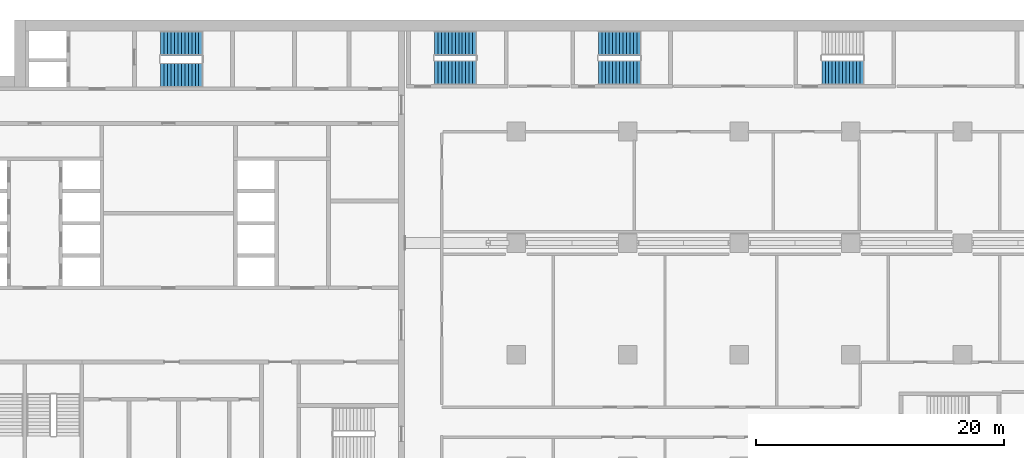
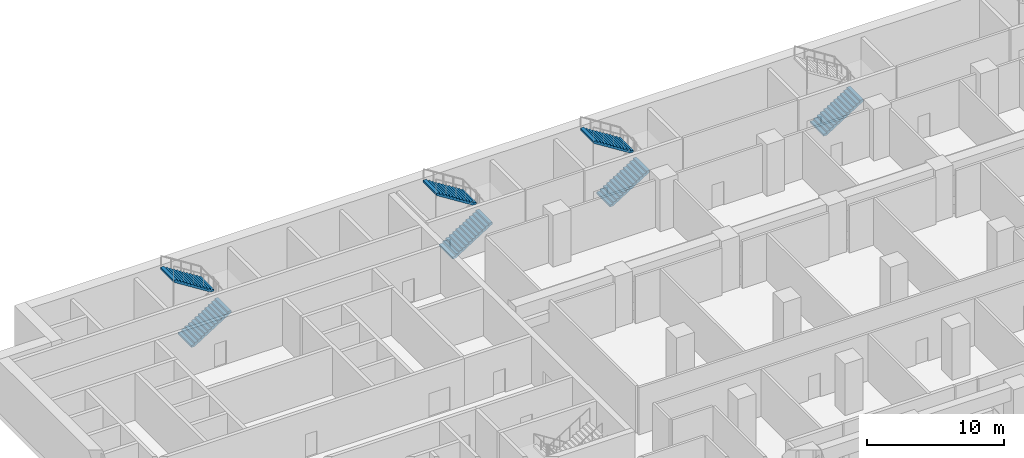
# One storey, part 22 of 31: 7 stair flights, 4 elements without a shape of their own.
"""IFC4 building model written with IfcOpenShell, lengths in metres."""

import ifcopenshell
import ifcopenshell.guid

model = None  # the IFC model being written
_history = None  # IfcOwnerHistory: only IFC2X3 demands one
_inside = {}  # id of a spatial element -> (the spatial element, [elements in it])
_under = {}  # id of a project, library or spatial element -> (it, [spatial elements below it])
_declared = {}  # id of a project -> (the project, [libraries it declares])
_typed = {}  # id of a type object -> (the type object, [elements of that type])
_made_of = {}  # id of a material, layer set ... -> (it, [elements and type objects made of it])


def new_model(schema):
    """Start an empty IFC model of exactly this schema.

    Asked for "IFC4X3", IfcOpenShell would pick the latest addendum, in which some entities
    have other attributes; the version numbers below select the first issue.
    IFC2X3 requires an IfcOwnerHistory on every rooted entity: one is made here for all.
    """
    global model, _history
    if schema == "IFC4X3":
        model = ifcopenshell.file(schema_version=(4, 3, 0, 0))
    else:
        model = ifcopenshell.file(schema=schema)
    _inside.clear()
    _under.clear()
    _declared.clear()
    _typed.clear()
    _made_of.clear()
    _history = None
    if model.schema == "IFC2X3":
        org = make("IfcOrganization", Name="unknown")
        user = make(
            "IfcPersonAndOrganization",
            ThePerson=make("IfcPerson", FamilyName="unknown"),
            TheOrganization=org,
        )
        app = make(
            "IfcApplication",
            ApplicationDeveloper=org,
            Version="unknown",
            ApplicationFullName="unknown",
            ApplicationIdentifier="unknown",
        )
        _history = make(
            "IfcOwnerHistory",
            OwningUser=user,
            OwningApplication=app,
            ChangeAction="ADDED",
            CreationDate=0,
        )
    return model


def make(cls, **values):
    """One entity of the class cls with the attributes given. An attribute that is None is left unset."""
    return model.create_entity(
        cls, **{name: value for name, value in values.items() if value is not None}
    )


def rooted(cls, **values):
    """An entity with a GlobalId (a new one), such as an element, a storey or a relation."""
    return make(cls, GlobalId=ifcopenshell.guid.new(), OwnerHistory=_history, **values)


def si_unit(unit_type, name, prefix=None):
    """IfcSIUnit, for example si_unit("LENGTHUNIT", "METRE", prefix="MILLI")."""
    return make("IfcSIUnit", UnitType=unit_type, Prefix=prefix, Name=name)


def assignment(units):
    """IfcUnitAssignment: the units of a project."""
    return None if units is None else make("IfcUnitAssignment", Units=units)


def point(xyz):
    """IfcCartesianPoint."""
    return None if xyz is None else make("IfcCartesianPoint", Coordinates=xyz)


def direction(xyz):
    """IfcDirection."""
    return None if xyz is None else make("IfcDirection", DirectionRatios=xyz)


def frame(location, z_axis=None, x_axis=None):
    """IfcAxis2Placement3D, a coordinate frame: its origin and axes. An axis left out is left unset."""
    return make(
        "IfcAxis2Placement3D",
        Location=point(location),
        Axis=direction(z_axis),
        RefDirection=direction(x_axis),
    )


def origin():
    """The frame at (0, 0, 0) with its axes left unset."""
    return frame((0.0, 0.0, 0.0))


def place(relative_to, where):
    """IfcLocalPlacement: puts the frame where relative to a parent placement (None: the world)."""
    return make(
        "IfcLocalPlacement", PlacementRelTo=relative_to, RelativePlacement=where
    )


def context(
    kind, dimensions, precision=None, world=None, true_north=None, identifier=None
):
    """IfcGeometricRepresentationContext, for example the 3D "Model" context."""
    return make(
        "IfcGeometricRepresentationContext",
        ContextIdentifier=identifier,
        ContextType=kind,
        CoordinateSpaceDimension=dimensions,
        Precision=precision,
        WorldCoordinateSystem=world,
        TrueNorth=true_north,
    )


def subcontext(parent, identifier, kind, view, scale=None):
    """IfcGeometricRepresentationSubContext, for example "Body" below "Model"."""
    return make(
        "IfcGeometricRepresentationSubContext",
        ContextIdentifier=identifier,
        ContextType=kind,
        ParentContext=parent,
        TargetScale=scale,
        TargetView=view,
    )


def project(units=None, contexts=None):
    """IfcProject with its units and contexts."""
    return rooted(
        "IfcProject",
        Name="project",
        RepresentationContexts=contexts,
        UnitsInContext=assignment(units),
    )


def spatial(cls, under=None, at=None, **own):
    """A site, building, storey or space (cls), placed at a placement, below another one or the project."""
    s = rooted(cls, ObjectPlacement=at, **own)
    if under is not None:
        _under.setdefault(under.id(), (under, []))[1].append(s)
    return s


def polyline(points):
    """IfcPolyline through the points."""
    return make("IfcPolyline", Points=[point(p) for p in points])


def outline(outer, holes=None, kind="AREA"):
    """IfcArbitraryClosedProfileDef: a profile drawn as a closed curve; with holes, ...WithVoids."""
    if holes is None:
        return make("IfcArbitraryClosedProfileDef", ProfileType=kind, OuterCurve=outer)
    return make(
        "IfcArbitraryProfileDefWithVoids",
        ProfileType=kind,
        OuterCurve=outer,
        InnerCurves=holes,
    )


def extrude(swept, where, along, depth):
    """IfcExtrudedAreaSolid: the profile swept, set in the frame where, extruded along a direction by depth."""
    return make(
        "IfcExtrudedAreaSolid",
        SweptArea=swept,
        Position=where,
        ExtrudedDirection=direction(along),
        Depth=depth,
    )


def shape(context_of_items, identifier, shape_type, items):
    """IfcShapeRepresentation: the items that make up one representation, for example the "Body"."""
    return make(
        "IfcShapeRepresentation",
        ContextOfItems=context_of_items,
        RepresentationIdentifier=identifier,
        RepresentationType=shape_type,
        Items=items,
    )


def material(Name=None, Category=None):
    """IfcMaterial."""
    return make("IfcMaterial", Name=Name, Category=Category)


def made_of(thing, what):
    """Note that an element or type object is made of a material, layer set ...; save() writes the relation."""
    if what is not None:
        _made_of.setdefault(what.id(), (what, []))[1].append(thing)
    return thing


def type_object(cls, material=None, **own):
    """A type object (cls), such as IfcWallType, which elements share."""
    return made_of(rooted(cls, **own), material)


def element(
    cls,
    number,
    at=None,
    inside=None,
    cuts=None,
    type_object=None,
    material=None,
    context=None,
    identifier="Body",
    shape_type=None,
    held_by="IfcProductDefinitionShape",
    body=None,
    shapes=None,
    **own,
):
    """One element of the class cls, such as IfcWall. Its Tag is "e" and its number.

    at: its placement. inside: the storey or other place that contains it. cuts: it is an
    opening in that element (IfcRelVoidsElement). A single representation is given by context,
    identifier, shape_type and body (its items); several are given by shapes. held_by: the class
    of the entity that holds the representations. save() writes the other relations.
    """
    e = rooted(cls, Tag="e%d" % number, ObjectPlacement=at, **own)
    if body is not None:
        shapes = [shape(context, identifier, shape_type, body)]
    if shapes is not None:
        e.Representation = make(held_by, Representations=shapes)
    if inside is not None:
        _inside.setdefault(inside.id(), (inside, []))[1].append(e)
    if cuts is not None:
        rooted(
            "IfcRelVoidsElement", RelatingBuildingElement=cuts, RelatedOpeningElement=e
        )
    if type_object is not None:
        _typed.setdefault(type_object.id(), (type_object, []))[1].append(e)
    return made_of(e, material)


def aggregate(whole, parts):
    """IfcRelAggregates: a whole, such as a stair, and the parts it consists of."""
    return rooted("IfcRelAggregates", RelatingObject=whole, RelatedObjects=parts)


def save(model, path):
    """Write the relations noted so far, then the file.

    IfcRelAggregates (storeys below a building ...), IfcRelContainedInSpatialStructure (elements
    in a storey), IfcRelDefinesByType, IfcRelAssociatesMaterial and IfcRelDeclares: one each for
    every whole, place, type object, material and project.
    """
    for whole, parts in _under.values():
        aggregate(whole, parts)
    for where, things in _inside.values():
        rooted(
            "IfcRelContainedInSpatialStructure",
            RelatedElements=things,
            RelatingStructure=where,
        )
    for kind, things in _typed.values():
        rooted("IfcRelDefinesByType", RelatedObjects=things, RelatingType=kind)
    for what, things in _made_of.values():
        rooted("IfcRelAssociatesMaterial", RelatedObjects=things, RelatingMaterial=what)
    for by, libraries in _declared.values():
        rooted("IfcRelDeclares", RelatingContext=by, RelatedDefinitions=libraries)
    model.write(path)


model = new_model("IFC4")

# Units and contexts
model_context = context("Model", 3, precision=1e-05, world=origin(), true_north=direction((0.0, 1.0)))
body_context = subcontext(model_context, "Body", "Model", "MODEL_VIEW")
ifc_project = project(units=[si_unit("LENGTHUNIT", "METRE"), si_unit("AREAUNIT", "SQUARE_METRE"), si_unit("VOLUMEUNIT", "CUBIC_METRE"), si_unit("PLANEANGLEUNIT", "RADIAN"), si_unit("MASSUNIT", "GRAM", prefix="KILO")], contexts=[model_context])

# Site, building, storey
site_placement = place(None, origin())
site = spatial("IfcSite", under=ifc_project, at=site_placement, CompositionType="ELEMENT")
building_placement = place(site_placement, origin())
building = spatial("IfcBuilding", under=site, at=building_placement, Name="Hunhe Ridgeline Campus", CompositionType="ELEMENT")
storey_placement = place(building_placement, frame((0.0, 0.0, 31.199951171875)))
storey = spatial("IfcBuildingStorey", under=building, at=storey_placement, Name="L06", CompositionType="ELEMENT", Elevation=31.199951171875)

# Stair, stair flights
ifc_material = material(Name="Concrete C40", Category="concrete")
stair_type = type_object("IfcStairType", Name="Reinforced concrete dog-leg stair 1950 Concrete C40", PredefinedType="HALF_TURN_STAIR", material=ifc_material)
stair_1_placement = place(storey_placement, origin())
stair_1 = element("IfcStair", 1, at=stair_1_placement, inside=storey, type_object=stair_type, Name="L06 S1", PredefinedType="HALF_TURN_STAIR")
stair_flight_type = type_object("IfcStairFlightType", Name="Reinforced concrete stair flight 1950 Concrete C40", PredefinedType="STRAIGHT", material=ifc_material)
stair_flight_1_placement = place(storey_placement, frame((16.300048828125, 94.574951171875, 0.0), z_axis=(0.0, 0.0, 1.0), x_axis=(1.0, 0.0, 0.0)))
stair_flight_1 = element("IfcStairFlight", 2, at=stair_flight_1_placement, type_object=stair_flight_type, Name="ST1 flight 1", NumberOfRisers=13, NumberOfTreads=12, PredefinedType="STRAIGHT", RiserHeight=0.176923077, TreadLength=0.28, context=body_context, shape_type="SweptSolid", body=[
    extrude(outline(polyline([(0.0, 0.0), (0.0, 0.177001953125), (0.280029296875, 0.177001953125), (0.280029296875, 0.353759765625), (0.56005859375, 0.353759765625), (0.56005859375, 0.53076171875), (0.840087890625, 0.53076171875), (0.840087890625, 0.707763671875), (1.1201171875, 0.707763671875), (1.1201171875, 0.884521484375), (1.39990234375, 0.884521484375), (1.39990234375, 1.0615234375), (1.679931640625, 1.0615234375), (1.679931640625, 1.238525390625), (1.9599609375, 1.238525390625), (1.9599609375, 1.415283203125), (2.239990234375, 1.415283203125), (2.239990234375, 1.59228515625), (2.52001953125, 1.59228515625), (2.52001953125, 1.769287109375), (2.800048828125, 1.769287109375), (2.800048828125, 1.946044921875), (3.080078125, 1.946044921875), (3.080078125, 2.123046875), (3.360107421875, 2.123046875), (3.360107421875, 2.300048828125), (3.360107421875, 1.94580078125), (0.280517578125, 0.0), (0.0, 0.0)])), frame((0.0, 0.97509765625, 0.0), z_axis=(0.0, -1.0, 0.0), x_axis=(1.0, 0.0, 0.0)), (0.0, 0.0, 1.0), 1.949951171875),
    extrude(outline(polyline([(0.030029296875, 0.030029296875), (0.030029296875, 0.14697265625), (0.31005859375, 0.14697265625), (0.31005859375, 0.32373046875), (0.590087890625, 0.32373046875), (0.590087890625, 0.500732421875), (0.8701171875, 0.500732421875), (0.8701171875, 0.677734375), (1.14990234375, 0.677734375), (1.14990234375, 0.8544921875), (1.429931640625, 0.8544921875), (1.429931640625, 1.031494140625), (1.7099609375, 1.031494140625), (1.7099609375, 1.20849609375), (1.989990234375, 1.20849609375), (1.989990234375, 1.385498046875), (2.27001953125, 1.385498046875), (2.27001953125, 1.562255859375), (2.550048828125, 1.562255859375), (2.550048828125, 1.7392578125), (2.830078125, 1.7392578125), (2.830078125, 1.916259765625), (3.110107421875, 1.916259765625), (3.110107421875, 2.093017578125), (3.330078125, 2.093017578125), (3.330078125, 1.96240234375), (0.27197265625, 0.030029296875), (0.030029296875, 0.030029296875)])), frame((0.0, -0.070068359375, 0.0), z_axis=(0.0, -1.0, 0.0), x_axis=(1.0, 0.0, 0.0)), (0.0, 0.0, 1.0), 0.019775390625),
    extrude(outline(polyline([(0.030029296875, 0.030029296875), (0.030029296875, 0.14697265625), (0.31005859375, 0.14697265625), (0.31005859375, 0.32373046875), (0.590087890625, 0.32373046875), (0.590087890625, 0.500732421875), (0.8701171875, 0.500732421875), (0.8701171875, 0.677734375), (1.14990234375, 0.677734375), (1.14990234375, 0.8544921875), (1.429931640625, 0.8544921875), (1.429931640625, 1.031494140625), (1.7099609375, 1.031494140625), (1.7099609375, 1.20849609375), (1.989990234375, 1.20849609375), (1.989990234375, 1.385498046875), (2.27001953125, 1.385498046875), (2.27001953125, 1.562255859375), (2.550048828125, 1.562255859375), (2.550048828125, 1.7392578125), (2.830078125, 1.7392578125), (2.830078125, 1.916259765625), (3.110107421875, 1.916259765625), (3.110107421875, 2.093017578125), (3.330078125, 2.093017578125), (3.330078125, 1.96240234375), (0.27197265625, 0.030029296875), (0.030029296875, 0.030029296875)])), frame((0.0, 0.010009765625, 0.0), z_axis=(0.0, -1.0, 0.0), x_axis=(1.0, 0.0, 0.0)), (0.0, 0.0, 1.0), 0.019775390625),
    extrude(outline(polyline([(0.030029296875, 0.030029296875), (0.030029296875, 0.14697265625), (0.31005859375, 0.14697265625), (0.31005859375, 0.32373046875), (0.590087890625, 0.32373046875), (0.590087890625, 0.500732421875), (0.8701171875, 0.500732421875), (0.8701171875, 0.677734375), (1.14990234375, 0.677734375), (1.14990234375, 0.8544921875), (1.429931640625, 0.8544921875), (1.429931640625, 1.031494140625), (1.7099609375, 1.031494140625), (1.7099609375, 1.20849609375), (1.989990234375, 1.20849609375), (1.989990234375, 1.385498046875), (2.27001953125, 1.385498046875), (2.27001953125, 1.562255859375), (2.550048828125, 1.562255859375), (2.550048828125, 1.7392578125), (2.830078125, 1.7392578125), (2.830078125, 1.916259765625), (3.110107421875, 1.916259765625), (3.110107421875, 2.093017578125), (3.330078125, 2.093017578125), (3.330078125, 1.96240234375), (0.27197265625, 0.030029296875), (0.030029296875, 0.030029296875)])), frame((0.0, 0.090087890625, 0.0), z_axis=(0.0, -1.0, 0.0), x_axis=(1.0, 0.0, 0.0)), (0.0, 0.0, 1.0), 0.019775390625),
])
stair_flight_2_placement = place(storey_placement, frame((19.659912109375, 97.125, 2.300048828125), z_axis=(0.0, 0.0, 1.0), x_axis=(-1.0, 0.0, 0.0)))
stair_flight_2 = element("IfcStairFlight", 3, at=stair_flight_2_placement, type_object=stair_flight_type, Name="ST1 flight 2", NumberOfRisers=13, NumberOfTreads=12, PredefinedType="STRAIGHT", RiserHeight=0.176923077, TreadLength=0.28, context=body_context, shape_type="SweptSolid", body=[
    extrude(outline(polyline([(0.0, 0.0), (0.0, 0.177001953125), (0.280029296875, 0.177001953125), (0.280029296875, 0.353759765625), (0.56005859375, 0.353759765625), (0.56005859375, 0.53076171875), (0.840087890625, 0.53076171875), (0.840087890625, 0.707763671875), (1.1201171875, 0.707763671875), (1.1201171875, 0.884521484375), (1.39990234375, 0.884521484375), (1.39990234375, 1.0615234375), (1.679931640625, 1.0615234375), (1.679931640625, 1.238525390625), (1.9599609375, 1.238525390625), (1.9599609375, 1.415283203125), (2.239990234375, 1.415283203125), (2.239990234375, 1.59228515625), (2.52001953125, 1.59228515625), (2.52001953125, 1.769287109375), (2.800048828125, 1.769287109375), (2.800048828125, 1.946044921875), (3.080078125, 1.946044921875), (3.080078125, 2.123046875), (3.360107421875, 2.123046875), (3.360107421875, 2.300048828125), (3.360107421875, 1.94580078125), (0.280517578125, 0.0), (0.0, 0.0)])), frame((0.0, 0.97509765625, 0.0), z_axis=(0.0, -1.0, 0.0), x_axis=(1.0, 0.0, 0.0)), (0.0, 0.0, 1.0), 1.949951171875),
    extrude(outline(polyline([(0.030029296875, 0.030029296875), (0.030029296875, 0.14697265625), (0.31005859375, 0.14697265625), (0.31005859375, 0.32373046875), (0.590087890625, 0.32373046875), (0.590087890625, 0.500732421875), (0.8701171875, 0.500732421875), (0.8701171875, 0.677734375), (1.14990234375, 0.677734375), (1.14990234375, 0.8544921875), (1.429931640625, 0.8544921875), (1.429931640625, 1.031494140625), (1.7099609375, 1.031494140625), (1.7099609375, 1.20849609375), (1.989990234375, 1.20849609375), (1.989990234375, 1.385498046875), (2.27001953125, 1.385498046875), (2.27001953125, 1.562255859375), (2.550048828125, 1.562255859375), (2.550048828125, 1.7392578125), (2.830078125, 1.7392578125), (2.830078125, 1.916259765625), (3.110107421875, 1.916259765625), (3.110107421875, 2.093017578125), (3.330078125, 2.093017578125), (3.330078125, 1.96240234375), (0.27197265625, 0.030029296875), (0.030029296875, 0.030029296875)])), frame((0.0, -0.070068359375, 0.0), z_axis=(0.0, -1.0, 0.0), x_axis=(1.0, 0.0, 0.0)), (0.0, 0.0, 1.0), 0.019775390625),
    extrude(outline(polyline([(0.030029296875, 0.030029296875), (0.030029296875, 0.14697265625), (0.31005859375, 0.14697265625), (0.31005859375, 0.32373046875), (0.590087890625, 0.32373046875), (0.590087890625, 0.500732421875), (0.8701171875, 0.500732421875), (0.8701171875, 0.677734375), (1.14990234375, 0.677734375), (1.14990234375, 0.8544921875), (1.429931640625, 0.8544921875), (1.429931640625, 1.031494140625), (1.7099609375, 1.031494140625), (1.7099609375, 1.20849609375), (1.989990234375, 1.20849609375), (1.989990234375, 1.385498046875), (2.27001953125, 1.385498046875), (2.27001953125, 1.562255859375), (2.550048828125, 1.562255859375), (2.550048828125, 1.7392578125), (2.830078125, 1.7392578125), (2.830078125, 1.916259765625), (3.110107421875, 1.916259765625), (3.110107421875, 2.093017578125), (3.330078125, 2.093017578125), (3.330078125, 1.96240234375), (0.27197265625, 0.030029296875), (0.030029296875, 0.030029296875)])), frame((0.0, 0.010009765625, 0.0), z_axis=(0.0, -1.0, 0.0), x_axis=(1.0, 0.0, 0.0)), (0.0, 0.0, 1.0), 0.019775390625),
    extrude(outline(polyline([(0.030029296875, 0.030029296875), (0.030029296875, 0.14697265625), (0.31005859375, 0.14697265625), (0.31005859375, 0.32373046875), (0.590087890625, 0.32373046875), (0.590087890625, 0.500732421875), (0.8701171875, 0.500732421875), (0.8701171875, 0.677734375), (1.14990234375, 0.677734375), (1.14990234375, 0.8544921875), (1.429931640625, 0.8544921875), (1.429931640625, 1.031494140625), (1.7099609375, 1.031494140625), (1.7099609375, 1.20849609375), (1.989990234375, 1.20849609375), (1.989990234375, 1.385498046875), (2.27001953125, 1.385498046875), (2.27001953125, 1.562255859375), (2.550048828125, 1.562255859375), (2.550048828125, 1.7392578125), (2.830078125, 1.7392578125), (2.830078125, 1.916259765625), (3.110107421875, 1.916259765625), (3.110107421875, 2.093017578125), (3.330078125, 2.093017578125), (3.330078125, 1.96240234375), (0.27197265625, 0.030029296875), (0.030029296875, 0.030029296875)])), frame((0.0, 0.090087890625, 0.0), z_axis=(0.0, -1.0, 0.0), x_axis=(1.0, 0.0, 0.0)), (0.0, 0.0, 1.0), 0.019775390625),
])
aggregate(stair_1, [stair_flight_1, stair_flight_2])

stair_2_placement = place(storey_placement, origin())
stair_2 = element("IfcStair", 4, at=stair_2_placement, inside=storey, type_object=stair_type, Name="L06 E1", PredefinedType="HALF_TURN_STAIR")
stair_flight_3_placement = place(storey_placement, frame((38.39990234375, 94.77490234375, 0.0), z_axis=(0.0, 0.0, 1.0), x_axis=(1.0, 0.0, 0.0)))
stair_flight_3 = element("IfcStairFlight", 5, at=stair_flight_3_placement, type_object=stair_flight_type, Name="ST5 flight 1", NumberOfRisers=13, NumberOfTreads=12, PredefinedType="STRAIGHT", RiserHeight=0.176923077, TreadLength=0.28, context=body_context, shape_type="SweptSolid", body=[
    extrude(outline(polyline([(0.0, 0.0), (0.0, 0.177001953125), (0.280029296875, 0.177001953125), (0.280029296875, 0.353759765625), (0.56005859375, 0.353759765625), (0.56005859375, 0.53076171875), (0.840087890625, 0.53076171875), (0.840087890625, 0.707763671875), (1.1201171875, 0.707763671875), (1.1201171875, 0.884521484375), (1.39990234375, 0.884521484375), (1.39990234375, 1.0615234375), (1.679931640625, 1.0615234375), (1.679931640625, 1.238525390625), (1.9599609375, 1.238525390625), (1.9599609375, 1.415283203125), (2.239990234375, 1.415283203125), (2.239990234375, 1.59228515625), (2.52001953125, 1.59228515625), (2.52001953125, 1.769287109375), (2.800048828125, 1.769287109375), (2.800048828125, 1.946044921875), (3.080078125, 1.946044921875), (3.080078125, 2.123046875), (3.360107421875, 2.123046875), (3.360107421875, 2.300048828125), (3.360107421875, 1.94580078125), (0.280517578125, 0.0), (0.0, 0.0)])), frame((0.0, 0.97509765625, 0.0), z_axis=(0.0, -1.0, 0.0), x_axis=(1.0, 0.0, 0.0)), (0.0, 0.0, 1.0), 1.949951171875),
    extrude(outline(polyline([(0.030029296875, 0.030029296875), (0.030029296875, 0.14697265625), (0.31005859375, 0.14697265625), (0.31005859375, 0.32373046875), (0.590087890625, 0.32373046875), (0.590087890625, 0.500732421875), (0.8701171875, 0.500732421875), (0.8701171875, 0.677734375), (1.14990234375, 0.677734375), (1.14990234375, 0.8544921875), (1.429931640625, 0.8544921875), (1.429931640625, 1.031494140625), (1.7099609375, 1.031494140625), (1.7099609375, 1.20849609375), (1.989990234375, 1.20849609375), (1.989990234375, 1.385498046875), (2.27001953125, 1.385498046875), (2.27001953125, 1.562255859375), (2.550048828125, 1.562255859375), (2.550048828125, 1.7392578125), (2.830078125, 1.7392578125), (2.830078125, 1.916259765625), (3.110107421875, 1.916259765625), (3.110107421875, 2.093017578125), (3.330078125, 2.093017578125), (3.330078125, 1.96240234375), (0.27197265625, 0.030029296875), (0.030029296875, 0.030029296875)])), frame((0.0, -0.070068359375, 0.0), z_axis=(0.0, -1.0, 0.0), x_axis=(1.0, 0.0, 0.0)), (0.0, 0.0, 1.0), 0.019775390625),
    extrude(outline(polyline([(0.030029296875, 0.030029296875), (0.030029296875, 0.14697265625), (0.31005859375, 0.14697265625), (0.31005859375, 0.32373046875), (0.590087890625, 0.32373046875), (0.590087890625, 0.500732421875), (0.8701171875, 0.500732421875), (0.8701171875, 0.677734375), (1.14990234375, 0.677734375), (1.14990234375, 0.8544921875), (1.429931640625, 0.8544921875), (1.429931640625, 1.031494140625), (1.7099609375, 1.031494140625), (1.7099609375, 1.20849609375), (1.989990234375, 1.20849609375), (1.989990234375, 1.385498046875), (2.27001953125, 1.385498046875), (2.27001953125, 1.562255859375), (2.550048828125, 1.562255859375), (2.550048828125, 1.7392578125), (2.830078125, 1.7392578125), (2.830078125, 1.916259765625), (3.110107421875, 1.916259765625), (3.110107421875, 2.093017578125), (3.330078125, 2.093017578125), (3.330078125, 1.96240234375), (0.27197265625, 0.030029296875), (0.030029296875, 0.030029296875)])), frame((0.0, 0.010009765625, 0.0), z_axis=(0.0, -1.0, 0.0), x_axis=(1.0, 0.0, 0.0)), (0.0, 0.0, 1.0), 0.019775390625),
    extrude(outline(polyline([(0.030029296875, 0.030029296875), (0.030029296875, 0.14697265625), (0.31005859375, 0.14697265625), (0.31005859375, 0.32373046875), (0.590087890625, 0.32373046875), (0.590087890625, 0.500732421875), (0.8701171875, 0.500732421875), (0.8701171875, 0.677734375), (1.14990234375, 0.677734375), (1.14990234375, 0.8544921875), (1.429931640625, 0.8544921875), (1.429931640625, 1.031494140625), (1.7099609375, 1.031494140625), (1.7099609375, 1.20849609375), (1.989990234375, 1.20849609375), (1.989990234375, 1.385498046875), (2.27001953125, 1.385498046875), (2.27001953125, 1.562255859375), (2.550048828125, 1.562255859375), (2.550048828125, 1.7392578125), (2.830078125, 1.7392578125), (2.830078125, 1.916259765625), (3.110107421875, 1.916259765625), (3.110107421875, 2.093017578125), (3.330078125, 2.093017578125), (3.330078125, 1.96240234375), (0.27197265625, 0.030029296875), (0.030029296875, 0.030029296875)])), frame((0.0, 0.090087890625, 0.0), z_axis=(0.0, -1.0, 0.0), x_axis=(1.0, 0.0, 0.0)), (0.0, 0.0, 1.0), 0.019775390625),
])
stair_flight_4_placement = place(storey_placement, frame((41.760009765625, 97.125, 2.300048828125), z_axis=(0.0, 0.0, 1.0), x_axis=(-1.0, 0.0, 0.0)))
stair_flight_4 = element("IfcStairFlight", 6, at=stair_flight_4_placement, type_object=stair_flight_type, Name="ST5 flight 2", NumberOfRisers=13, NumberOfTreads=12, PredefinedType="STRAIGHT", RiserHeight=0.176923077, TreadLength=0.28, context=body_context, shape_type="SweptSolid", body=[
    extrude(outline(polyline([(0.0, 0.0), (0.0, 0.177001953125), (0.280029296875, 0.177001953125), (0.280029296875, 0.353759765625), (0.56005859375, 0.353759765625), (0.56005859375, 0.53076171875), (0.840087890625, 0.53076171875), (0.840087890625, 0.707763671875), (1.1201171875, 0.707763671875), (1.1201171875, 0.884521484375), (1.39990234375, 0.884521484375), (1.39990234375, 1.0615234375), (1.679931640625, 1.0615234375), (1.679931640625, 1.238525390625), (1.9599609375, 1.238525390625), (1.9599609375, 1.415283203125), (2.239990234375, 1.415283203125), (2.239990234375, 1.59228515625), (2.52001953125, 1.59228515625), (2.52001953125, 1.769287109375), (2.800048828125, 1.769287109375), (2.800048828125, 1.946044921875), (3.080078125, 1.946044921875), (3.080078125, 2.123046875), (3.360107421875, 2.123046875), (3.360107421875, 2.300048828125), (3.360107421875, 1.94580078125), (0.280517578125, 0.0), (0.0, 0.0)])), frame((0.0, 0.97509765625, 0.0), z_axis=(0.0, -1.0, 0.0), x_axis=(1.0, 0.0, 0.0)), (0.0, 0.0, 1.0), 1.949951171875),
    extrude(outline(polyline([(0.030029296875, 0.030029296875), (0.030029296875, 0.14697265625), (0.31005859375, 0.14697265625), (0.31005859375, 0.32373046875), (0.590087890625, 0.32373046875), (0.590087890625, 0.500732421875), (0.8701171875, 0.500732421875), (0.8701171875, 0.677734375), (1.14990234375, 0.677734375), (1.14990234375, 0.8544921875), (1.429931640625, 0.8544921875), (1.429931640625, 1.031494140625), (1.7099609375, 1.031494140625), (1.7099609375, 1.20849609375), (1.989990234375, 1.20849609375), (1.989990234375, 1.385498046875), (2.27001953125, 1.385498046875), (2.27001953125, 1.562255859375), (2.550048828125, 1.562255859375), (2.550048828125, 1.7392578125), (2.830078125, 1.7392578125), (2.830078125, 1.916259765625), (3.110107421875, 1.916259765625), (3.110107421875, 2.093017578125), (3.330078125, 2.093017578125), (3.330078125, 1.96240234375), (0.27197265625, 0.030029296875), (0.030029296875, 0.030029296875)])), frame((0.0, -0.070068359375, 0.0), z_axis=(0.0, -1.0, 0.0), x_axis=(1.0, 0.0, 0.0)), (0.0, 0.0, 1.0), 0.019775390625),
    extrude(outline(polyline([(0.030029296875, 0.030029296875), (0.030029296875, 0.14697265625), (0.31005859375, 0.14697265625), (0.31005859375, 0.32373046875), (0.590087890625, 0.32373046875), (0.590087890625, 0.500732421875), (0.8701171875, 0.500732421875), (0.8701171875, 0.677734375), (1.14990234375, 0.677734375), (1.14990234375, 0.8544921875), (1.429931640625, 0.8544921875), (1.429931640625, 1.031494140625), (1.7099609375, 1.031494140625), (1.7099609375, 1.20849609375), (1.989990234375, 1.20849609375), (1.989990234375, 1.385498046875), (2.27001953125, 1.385498046875), (2.27001953125, 1.562255859375), (2.550048828125, 1.562255859375), (2.550048828125, 1.7392578125), (2.830078125, 1.7392578125), (2.830078125, 1.916259765625), (3.110107421875, 1.916259765625), (3.110107421875, 2.093017578125), (3.330078125, 2.093017578125), (3.330078125, 1.96240234375), (0.27197265625, 0.030029296875), (0.030029296875, 0.030029296875)])), frame((0.0, 0.010009765625, 0.0), z_axis=(0.0, -1.0, 0.0), x_axis=(1.0, 0.0, 0.0)), (0.0, 0.0, 1.0), 0.019775390625),
    extrude(outline(polyline([(0.030029296875, 0.030029296875), (0.030029296875, 0.14697265625), (0.31005859375, 0.14697265625), (0.31005859375, 0.32373046875), (0.590087890625, 0.32373046875), (0.590087890625, 0.500732421875), (0.8701171875, 0.500732421875), (0.8701171875, 0.677734375), (1.14990234375, 0.677734375), (1.14990234375, 0.8544921875), (1.429931640625, 0.8544921875), (1.429931640625, 1.031494140625), (1.7099609375, 1.031494140625), (1.7099609375, 1.20849609375), (1.989990234375, 1.20849609375), (1.989990234375, 1.385498046875), (2.27001953125, 1.385498046875), (2.27001953125, 1.562255859375), (2.550048828125, 1.562255859375), (2.550048828125, 1.7392578125), (2.830078125, 1.7392578125), (2.830078125, 1.916259765625), (3.110107421875, 1.916259765625), (3.110107421875, 2.093017578125), (3.330078125, 2.093017578125), (3.330078125, 1.96240234375), (0.27197265625, 0.030029296875), (0.030029296875, 0.030029296875)])), frame((0.0, 0.090087890625, 0.0), z_axis=(0.0, -1.0, 0.0), x_axis=(1.0, 0.0, 0.0)), (0.0, 0.0, 1.0), 0.019775390625),
])
aggregate(stair_2, [stair_flight_3, stair_flight_4])

stair_3_placement = place(storey_placement, origin())
stair_3 = element("IfcStair", 7, at=stair_3_placement, inside=storey, type_object=stair_type, Name="L06 E2", PredefinedType="HALF_TURN_STAIR")
stair_flight_5_placement = place(storey_placement, frame((51.64990234375, 94.77490234375, 0.0), z_axis=(0.0, 0.0, 1.0), x_axis=(1.0, 0.0, 0.0)))
stair_flight_5 = element("IfcStairFlight", 8, at=stair_flight_5_placement, type_object=stair_flight_type, Name="ST6 flight 1", NumberOfRisers=13, NumberOfTreads=12, PredefinedType="STRAIGHT", RiserHeight=0.176923077, TreadLength=0.28, context=body_context, shape_type="SweptSolid", body=[
    extrude(outline(polyline([(0.0, 0.0), (0.0, 0.177001953125), (0.280029296875, 0.177001953125), (0.280029296875, 0.353759765625), (0.56005859375, 0.353759765625), (0.56005859375, 0.53076171875), (0.840087890625, 0.53076171875), (0.840087890625, 0.707763671875), (1.1201171875, 0.707763671875), (1.1201171875, 0.884521484375), (1.39990234375, 0.884521484375), (1.39990234375, 1.0615234375), (1.679931640625, 1.0615234375), (1.679931640625, 1.238525390625), (1.9599609375, 1.238525390625), (1.9599609375, 1.415283203125), (2.239990234375, 1.415283203125), (2.239990234375, 1.59228515625), (2.52001953125, 1.59228515625), (2.52001953125, 1.769287109375), (2.800048828125, 1.769287109375), (2.800048828125, 1.946044921875), (3.080078125, 1.946044921875), (3.080078125, 2.123046875), (3.360107421875, 2.123046875), (3.360107421875, 2.300048828125), (3.360107421875, 1.94580078125), (0.280517578125, 0.0), (0.0, 0.0)])), frame((0.0, 0.97509765625, 0.0), z_axis=(0.0, -1.0, 0.0), x_axis=(1.0, 0.0, 0.0)), (0.0, 0.0, 1.0), 1.949951171875),
    extrude(outline(polyline([(0.030029296875, 0.030029296875), (0.030029296875, 0.14697265625), (0.31005859375, 0.14697265625), (0.31005859375, 0.32373046875), (0.590087890625, 0.32373046875), (0.590087890625, 0.500732421875), (0.8701171875, 0.500732421875), (0.8701171875, 0.677734375), (1.14990234375, 0.677734375), (1.14990234375, 0.8544921875), (1.429931640625, 0.8544921875), (1.429931640625, 1.031494140625), (1.7099609375, 1.031494140625), (1.7099609375, 1.20849609375), (1.989990234375, 1.20849609375), (1.989990234375, 1.385498046875), (2.27001953125, 1.385498046875), (2.27001953125, 1.562255859375), (2.550048828125, 1.562255859375), (2.550048828125, 1.7392578125), (2.830078125, 1.7392578125), (2.830078125, 1.916259765625), (3.110107421875, 1.916259765625), (3.110107421875, 2.093017578125), (3.330078125, 2.093017578125), (3.330078125, 1.96240234375), (0.27197265625, 0.030029296875), (0.030029296875, 0.030029296875)])), frame((0.0, -0.070068359375, 0.0), z_axis=(0.0, -1.0, 0.0), x_axis=(1.0, 0.0, 0.0)), (0.0, 0.0, 1.0), 0.019775390625),
    extrude(outline(polyline([(0.030029296875, 0.030029296875), (0.030029296875, 0.14697265625), (0.31005859375, 0.14697265625), (0.31005859375, 0.32373046875), (0.590087890625, 0.32373046875), (0.590087890625, 0.500732421875), (0.8701171875, 0.500732421875), (0.8701171875, 0.677734375), (1.14990234375, 0.677734375), (1.14990234375, 0.8544921875), (1.429931640625, 0.8544921875), (1.429931640625, 1.031494140625), (1.7099609375, 1.031494140625), (1.7099609375, 1.20849609375), (1.989990234375, 1.20849609375), (1.989990234375, 1.385498046875), (2.27001953125, 1.385498046875), (2.27001953125, 1.562255859375), (2.550048828125, 1.562255859375), (2.550048828125, 1.7392578125), (2.830078125, 1.7392578125), (2.830078125, 1.916259765625), (3.110107421875, 1.916259765625), (3.110107421875, 2.093017578125), (3.330078125, 2.093017578125), (3.330078125, 1.96240234375), (0.27197265625, 0.030029296875), (0.030029296875, 0.030029296875)])), frame((0.0, 0.010009765625, 0.0), z_axis=(0.0, -1.0, 0.0), x_axis=(1.0, 0.0, 0.0)), (0.0, 0.0, 1.0), 0.019775390625),
    extrude(outline(polyline([(0.030029296875, 0.030029296875), (0.030029296875, 0.14697265625), (0.31005859375, 0.14697265625), (0.31005859375, 0.32373046875), (0.590087890625, 0.32373046875), (0.590087890625, 0.500732421875), (0.8701171875, 0.500732421875), (0.8701171875, 0.677734375), (1.14990234375, 0.677734375), (1.14990234375, 0.8544921875), (1.429931640625, 0.8544921875), (1.429931640625, 1.031494140625), (1.7099609375, 1.031494140625), (1.7099609375, 1.20849609375), (1.989990234375, 1.20849609375), (1.989990234375, 1.385498046875), (2.27001953125, 1.385498046875), (2.27001953125, 1.562255859375), (2.550048828125, 1.562255859375), (2.550048828125, 1.7392578125), (2.830078125, 1.7392578125), (2.830078125, 1.916259765625), (3.110107421875, 1.916259765625), (3.110107421875, 2.093017578125), (3.330078125, 2.093017578125), (3.330078125, 1.96240234375), (0.27197265625, 0.030029296875), (0.030029296875, 0.030029296875)])), frame((0.0, 0.090087890625, 0.0), z_axis=(0.0, -1.0, 0.0), x_axis=(1.0, 0.0, 0.0)), (0.0, 0.0, 1.0), 0.019775390625),
])
stair_flight_6_placement = place(storey_placement, frame((55.010009765625, 97.125, 2.300048828125), z_axis=(0.0, 0.0, 1.0), x_axis=(-1.0, 0.0, 0.0)))
stair_flight_6 = element("IfcStairFlight", 9, at=stair_flight_6_placement, type_object=stair_flight_type, Name="ST6 flight 2", NumberOfRisers=13, NumberOfTreads=12, PredefinedType="STRAIGHT", RiserHeight=0.176923077, TreadLength=0.28, context=body_context, shape_type="SweptSolid", body=[
    extrude(outline(polyline([(0.0, 0.0), (0.0, 0.177001953125), (0.280029296875, 0.177001953125), (0.280029296875, 0.353759765625), (0.56005859375, 0.353759765625), (0.56005859375, 0.53076171875), (0.840087890625, 0.53076171875), (0.840087890625, 0.707763671875), (1.1201171875, 0.707763671875), (1.1201171875, 0.884521484375), (1.39990234375, 0.884521484375), (1.39990234375, 1.0615234375), (1.679931640625, 1.0615234375), (1.679931640625, 1.238525390625), (1.9599609375, 1.238525390625), (1.9599609375, 1.415283203125), (2.239990234375, 1.415283203125), (2.239990234375, 1.59228515625), (2.52001953125, 1.59228515625), (2.52001953125, 1.769287109375), (2.800048828125, 1.769287109375), (2.800048828125, 1.946044921875), (3.080078125, 1.946044921875), (3.080078125, 2.123046875), (3.360107421875, 2.123046875), (3.360107421875, 2.300048828125), (3.360107421875, 1.94580078125), (0.280517578125, 0.0), (0.0, 0.0)])), frame((0.0, 0.97509765625, 0.0), z_axis=(0.0, -1.0, 0.0), x_axis=(1.0, 0.0, 0.0)), (0.0, 0.0, 1.0), 1.949951171875),
    extrude(outline(polyline([(0.030029296875, 0.030029296875), (0.030029296875, 0.14697265625), (0.31005859375, 0.14697265625), (0.31005859375, 0.32373046875), (0.590087890625, 0.32373046875), (0.590087890625, 0.500732421875), (0.8701171875, 0.500732421875), (0.8701171875, 0.677734375), (1.14990234375, 0.677734375), (1.14990234375, 0.8544921875), (1.429931640625, 0.8544921875), (1.429931640625, 1.031494140625), (1.7099609375, 1.031494140625), (1.7099609375, 1.20849609375), (1.989990234375, 1.20849609375), (1.989990234375, 1.385498046875), (2.27001953125, 1.385498046875), (2.27001953125, 1.562255859375), (2.550048828125, 1.562255859375), (2.550048828125, 1.7392578125), (2.830078125, 1.7392578125), (2.830078125, 1.916259765625), (3.110107421875, 1.916259765625), (3.110107421875, 2.093017578125), (3.330078125, 2.093017578125), (3.330078125, 1.96240234375), (0.27197265625, 0.030029296875), (0.030029296875, 0.030029296875)])), frame((0.0, -0.070068359375, 0.0), z_axis=(0.0, -1.0, 0.0), x_axis=(1.0, 0.0, 0.0)), (0.0, 0.0, 1.0), 0.019775390625),
    extrude(outline(polyline([(0.030029296875, 0.030029296875), (0.030029296875, 0.14697265625), (0.31005859375, 0.14697265625), (0.31005859375, 0.32373046875), (0.590087890625, 0.32373046875), (0.590087890625, 0.500732421875), (0.8701171875, 0.500732421875), (0.8701171875, 0.677734375), (1.14990234375, 0.677734375), (1.14990234375, 0.8544921875), (1.429931640625, 0.8544921875), (1.429931640625, 1.031494140625), (1.7099609375, 1.031494140625), (1.7099609375, 1.20849609375), (1.989990234375, 1.20849609375), (1.989990234375, 1.385498046875), (2.27001953125, 1.385498046875), (2.27001953125, 1.562255859375), (2.550048828125, 1.562255859375), (2.550048828125, 1.7392578125), (2.830078125, 1.7392578125), (2.830078125, 1.916259765625), (3.110107421875, 1.916259765625), (3.110107421875, 2.093017578125), (3.330078125, 2.093017578125), (3.330078125, 1.96240234375), (0.27197265625, 0.030029296875), (0.030029296875, 0.030029296875)])), frame((0.0, 0.010009765625, 0.0), z_axis=(0.0, -1.0, 0.0), x_axis=(1.0, 0.0, 0.0)), (0.0, 0.0, 1.0), 0.019775390625),
    extrude(outline(polyline([(0.030029296875, 0.030029296875), (0.030029296875, 0.14697265625), (0.31005859375, 0.14697265625), (0.31005859375, 0.32373046875), (0.590087890625, 0.32373046875), (0.590087890625, 0.500732421875), (0.8701171875, 0.500732421875), (0.8701171875, 0.677734375), (1.14990234375, 0.677734375), (1.14990234375, 0.8544921875), (1.429931640625, 0.8544921875), (1.429931640625, 1.031494140625), (1.7099609375, 1.031494140625), (1.7099609375, 1.20849609375), (1.989990234375, 1.20849609375), (1.989990234375, 1.385498046875), (2.27001953125, 1.385498046875), (2.27001953125, 1.562255859375), (2.550048828125, 1.562255859375), (2.550048828125, 1.7392578125), (2.830078125, 1.7392578125), (2.830078125, 1.916259765625), (3.110107421875, 1.916259765625), (3.110107421875, 2.093017578125), (3.330078125, 2.093017578125), (3.330078125, 1.96240234375), (0.27197265625, 0.030029296875), (0.030029296875, 0.030029296875)])), frame((0.0, 0.090087890625, 0.0), z_axis=(0.0, -1.0, 0.0), x_axis=(1.0, 0.0, 0.0)), (0.0, 0.0, 1.0), 0.019775390625),
])
aggregate(stair_3, [stair_flight_5, stair_flight_6])

# Stair, stair flight
stair_4_placement = place(storey_placement, origin())
stair_4 = element("IfcStair", 10, at=stair_4_placement, inside=storey, type_object=stair_type, Name="L06 E3", PredefinedType="HALF_TURN_STAIR")
stair_flight_7_placement = place(storey_placement, frame((69.64990234375, 94.77490234375, 0.0), z_axis=(0.0, 0.0, 1.0), x_axis=(1.0, 0.0, 0.0)))
stair_flight_7 = element("IfcStairFlight", 11, at=stair_flight_7_placement, type_object=stair_flight_type, Name="ST7 flight 1", NumberOfRisers=13, NumberOfTreads=12, PredefinedType="STRAIGHT", RiserHeight=0.176923077, TreadLength=0.28, context=body_context, shape_type="SweptSolid", body=[
    extrude(outline(polyline([(0.0, 0.0), (0.0, 0.177001953125), (0.280029296875, 0.177001953125), (0.280029296875, 0.353759765625), (0.56005859375, 0.353759765625), (0.56005859375, 0.53076171875), (0.840087890625, 0.53076171875), (0.840087890625, 0.707763671875), (1.1201171875, 0.707763671875), (1.1201171875, 0.884521484375), (1.39990234375, 0.884521484375), (1.39990234375, 1.0615234375), (1.679931640625, 1.0615234375), (1.679931640625, 1.238525390625), (1.9599609375, 1.238525390625), (1.9599609375, 1.415283203125), (2.239990234375, 1.415283203125), (2.239990234375, 1.59228515625), (2.52001953125, 1.59228515625), (2.52001953125, 1.769287109375), (2.800048828125, 1.769287109375), (2.800048828125, 1.946044921875), (3.080078125, 1.946044921875), (3.080078125, 2.123046875), (3.360107421875, 2.123046875), (3.360107421875, 2.300048828125), (3.360107421875, 1.94580078125), (0.280517578125, 0.0), (0.0, 0.0)])), frame((0.0, 0.97509765625, 0.0), z_axis=(0.0, -1.0, 0.0), x_axis=(1.0, 0.0, 0.0)), (0.0, 0.0, 1.0), 1.949951171875),
    extrude(outline(polyline([(0.030029296875, 0.030029296875), (0.030029296875, 0.14697265625), (0.31005859375, 0.14697265625), (0.31005859375, 0.32373046875), (0.590087890625, 0.32373046875), (0.590087890625, 0.500732421875), (0.8701171875, 0.500732421875), (0.8701171875, 0.677734375), (1.14990234375, 0.677734375), (1.14990234375, 0.8544921875), (1.429931640625, 0.8544921875), (1.429931640625, 1.031494140625), (1.7099609375, 1.031494140625), (1.7099609375, 1.20849609375), (1.989990234375, 1.20849609375), (1.989990234375, 1.385498046875), (2.27001953125, 1.385498046875), (2.27001953125, 1.562255859375), (2.550048828125, 1.562255859375), (2.550048828125, 1.7392578125), (2.830078125, 1.7392578125), (2.830078125, 1.916259765625), (3.110107421875, 1.916259765625), (3.110107421875, 2.093017578125), (3.330078125, 2.093017578125), (3.330078125, 1.96240234375), (0.27197265625, 0.030029296875), (0.030029296875, 0.030029296875)])), frame((0.0, -0.070068359375, 0.0), z_axis=(0.0, -1.0, 0.0), x_axis=(1.0, 0.0, 0.0)), (0.0, 0.0, 1.0), 0.019775390625),
    extrude(outline(polyline([(0.030029296875, 0.030029296875), (0.030029296875, 0.14697265625), (0.31005859375, 0.14697265625), (0.31005859375, 0.32373046875), (0.590087890625, 0.32373046875), (0.590087890625, 0.500732421875), (0.8701171875, 0.500732421875), (0.8701171875, 0.677734375), (1.14990234375, 0.677734375), (1.14990234375, 0.8544921875), (1.429931640625, 0.8544921875), (1.429931640625, 1.031494140625), (1.7099609375, 1.031494140625), (1.7099609375, 1.20849609375), (1.989990234375, 1.20849609375), (1.989990234375, 1.385498046875), (2.27001953125, 1.385498046875), (2.27001953125, 1.562255859375), (2.550048828125, 1.562255859375), (2.550048828125, 1.7392578125), (2.830078125, 1.7392578125), (2.830078125, 1.916259765625), (3.110107421875, 1.916259765625), (3.110107421875, 2.093017578125), (3.330078125, 2.093017578125), (3.330078125, 1.96240234375), (0.27197265625, 0.030029296875), (0.030029296875, 0.030029296875)])), frame((0.0, 0.010009765625, 0.0), z_axis=(0.0, -1.0, 0.0), x_axis=(1.0, 0.0, 0.0)), (0.0, 0.0, 1.0), 0.019775390625),
    extrude(outline(polyline([(0.030029296875, 0.030029296875), (0.030029296875, 0.14697265625), (0.31005859375, 0.14697265625), (0.31005859375, 0.32373046875), (0.590087890625, 0.32373046875), (0.590087890625, 0.500732421875), (0.8701171875, 0.500732421875), (0.8701171875, 0.677734375), (1.14990234375, 0.677734375), (1.14990234375, 0.8544921875), (1.429931640625, 0.8544921875), (1.429931640625, 1.031494140625), (1.7099609375, 1.031494140625), (1.7099609375, 1.20849609375), (1.989990234375, 1.20849609375), (1.989990234375, 1.385498046875), (2.27001953125, 1.385498046875), (2.27001953125, 1.562255859375), (2.550048828125, 1.562255859375), (2.550048828125, 1.7392578125), (2.830078125, 1.7392578125), (2.830078125, 1.916259765625), (3.110107421875, 1.916259765625), (3.110107421875, 2.093017578125), (3.330078125, 2.093017578125), (3.330078125, 1.96240234375), (0.27197265625, 0.030029296875), (0.030029296875, 0.030029296875)])), frame((0.0, 0.090087890625, 0.0), z_axis=(0.0, -1.0, 0.0), x_axis=(1.0, 0.0, 0.0)), (0.0, 0.0, 1.0), 0.019775390625),
])
aggregate(stair_4, [stair_flight_7])

save(model, "model.ifc")
